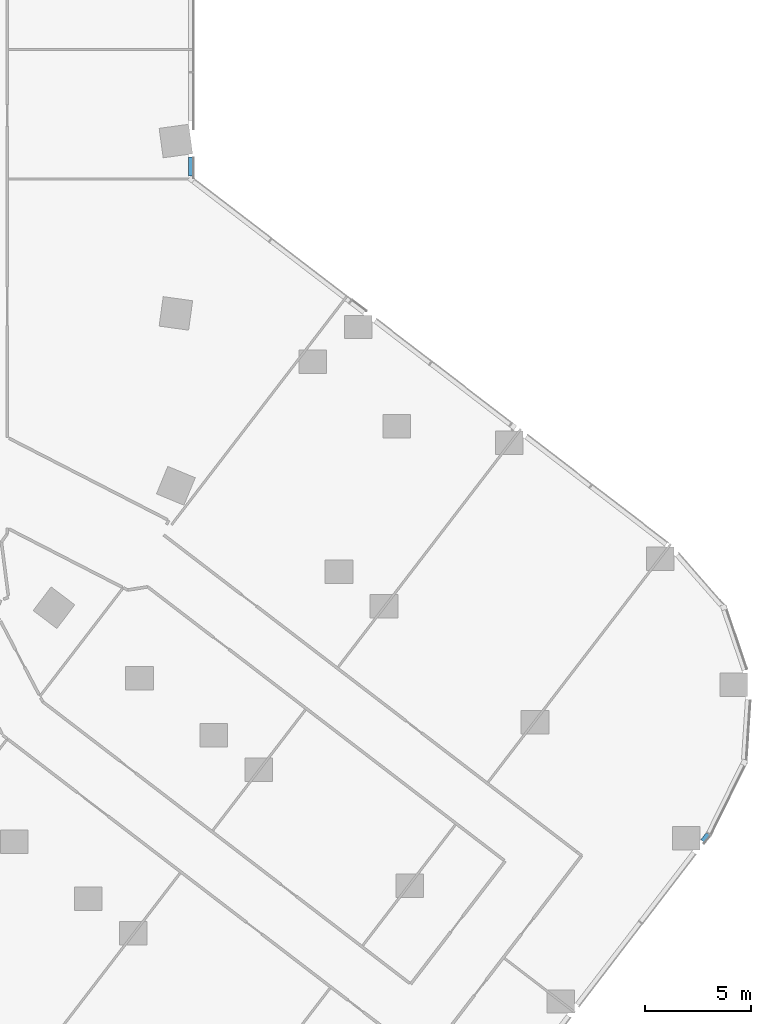
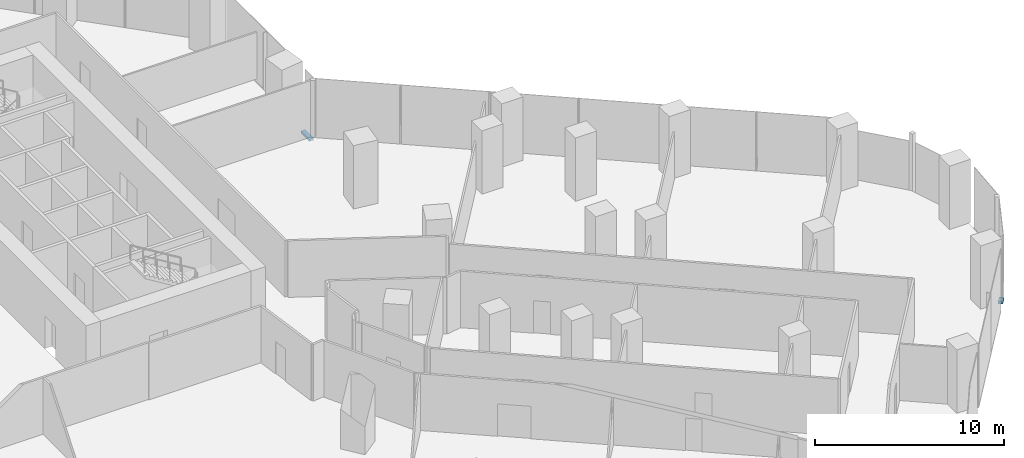
# One storey, part 13 of 29: 2 members, 2 elements without a shape of their own.
"""IFC4 building model written with IfcOpenShell, lengths in metres."""

from ifc_helpers import new_model, si_unit, direction, frame, origin, origin_2d, place, context, subcontext, project, spatial, rectangle, extrude, material, material_profile, profile_set, type_object, element, aggregate, save


model = new_model("IFC4")

# Units and contexts
model_context = context("Model", 3, precision=1e-05, world=origin(), true_north=direction((0.0, 1.0)))
body_context = subcontext(model_context, "Body", "Model", "MODEL_VIEW")
ifc_project = project(units=[si_unit("LENGTHUNIT", "METRE"), si_unit("AREAUNIT", "SQUARE_METRE"), si_unit("VOLUMEUNIT", "CUBIC_METRE"), si_unit("PLANEANGLEUNIT", "RADIAN"), si_unit("MASSUNIT", "GRAM", prefix="KILO")], contexts=[model_context])

# Site, building, storey
site_placement = place(None, origin())
site = spatial("IfcSite", under=ifc_project, at=site_placement, CompositionType="ELEMENT")
building_placement = place(site_placement, origin())
building = spatial("IfcBuilding", under=site, at=building_placement, Name="Orlundy Tower", CompositionType="ELEMENT")
storey_placement = place(building_placement, frame((0.0, 0.0, 29.199951171875)))
storey = spatial("IfcBuildingStorey", under=building, at=storey_placement, Name="L05", CompositionType="ELEMENT", Elevation=29.199951171875)

# Curtain wall, member
ifc_material_1 = material(Name="Aluminium bronze anodised", Category="aluminium")
curtain_wall_type = type_object("IfcCurtainWallType", Name="CW2 wall", PredefinedType="NOTDEFINED", material=ifc_material_1)
curtain_wall_1_placement = place(storey_placement, origin())
curtain_wall_1 = element("IfcCurtainWall", 1, at=curtain_wall_1_placement, inside=storey, type_object=curtain_wall_type, Name="CW2 run 017", PredefinedType="NOTDEFINED")
ifc_material_2 = material(Name="Aluminium bronze anodised", Category="aluminium")
ifc_material_profile = material_profile(ifc_material_2, rectangle(XDim=0.25, YDim=0.14990234375, at=origin_2d()), Name="CW2 transom 250x150")
ifc_profile_set = profile_set([ifc_material_profile], Name="Aluminium bronze anodised")
member_type = type_object("IfcMemberType", Name="CW2 transom 250x150", PredefinedType="USERDEFINED", material=ifc_profile_set)
member_1_placement = place(storey_placement, frame((30.125, 3.301025390625, -0.324951171875), z_axis=(0.0, -1.0, 0.0), x_axis=(1.0, 0.0, 0.0)))
member_1 = element("IfcMember", 2, at=member_1_placement, type_object=member_type, Name="CW2 transom", ObjectType="TRANSOM", PredefinedType="USERDEFINED", context=body_context, shape_type="SweptSolid", body=[
    extrude(rectangle(XDim=0.25, YDim=0.14990234375, at=origin_2d()), origin(), (0.0, 0.0, 1.0), 0.891845703125),
])
aggregate(curtain_wall_1, [member_1])

curtain_wall_2_placement = place(storey_placement, origin())
curtain_wall_2 = element("IfcCurtainWall", 3, at=curtain_wall_2_placement, inside=storey, type_object=curtain_wall_type, Name="CW2 run 023", PredefinedType="NOTDEFINED")
member_2_placement = place(storey_placement, frame((54.4814453125, -28.586181640625, -0.324951171875), z_axis=(-0.608750379399, -0.793361818833, 0.0), x_axis=(0.793361818833, -0.608750379399, 0.0)))
member_2 = element("IfcMember", 4, at=member_2_placement, type_object=member_type, Name="CW2 transom", ObjectType="TRANSOM", PredefinedType="USERDEFINED", context=body_context, shape_type="SweptSolid", body=[
    extrude(rectangle(XDim=0.25, YDim=0.14990234375, at=origin_2d()), origin(), (0.0, 0.0, 1.0), 0.41796875),
])
aggregate(curtain_wall_2, [member_2])

save(model, "model.ifc")
